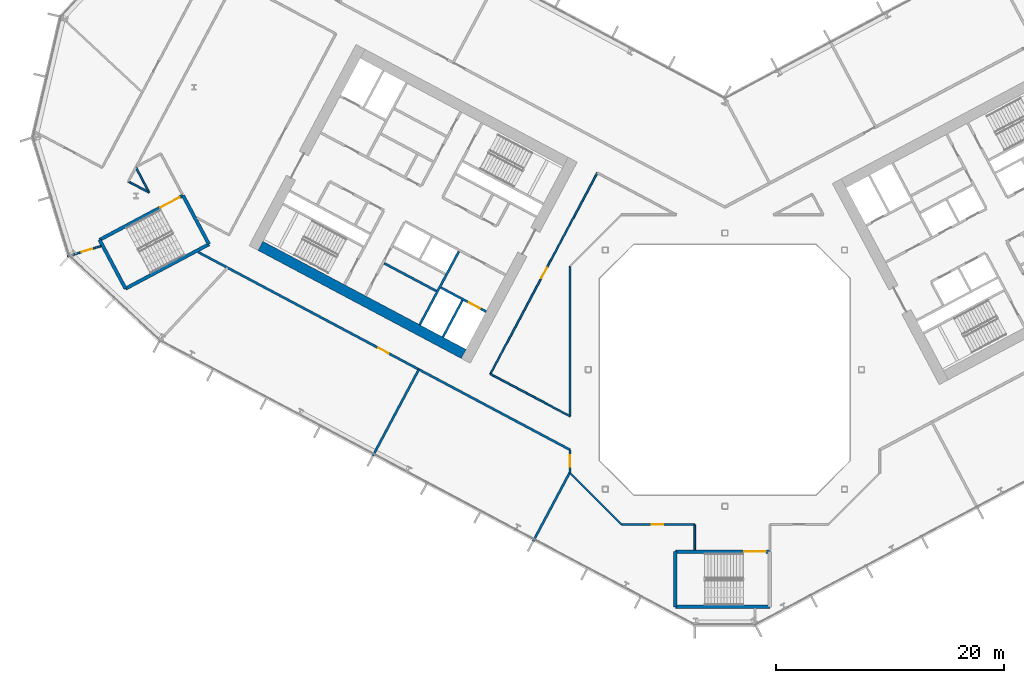
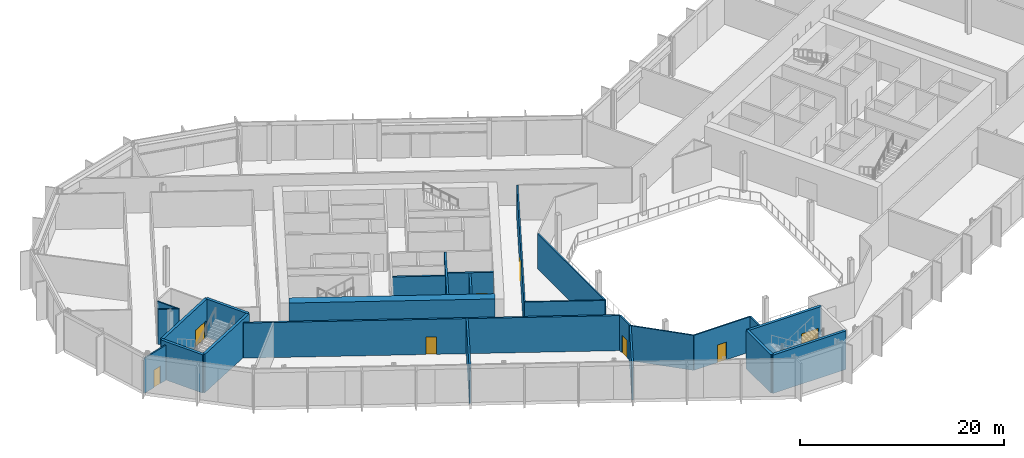
# One storey, part 14 of 31: 25 walls, 8 doors, 8 openings.
"""IFC4 building model written with IfcOpenShell, lengths in metres."""

from ifc_helpers import new_model, si_unit, direction, frame, frame_2d, origin, place, context, subcontext, project, spatial, rectangle, extrude, material, layer, layer_set, type_object, element, fill, save


model = new_model("IFC4")

# Units and contexts
model_context = context("Model", 3, precision=1e-05, world=origin(), true_north=direction((0.0, 1.0)))
body_context = subcontext(model_context, "Body", "Model", "MODEL_VIEW")
ifc_project = project(units=[si_unit("LENGTHUNIT", "METRE"), si_unit("AREAUNIT", "SQUARE_METRE"), si_unit("VOLUMEUNIT", "CUBIC_METRE"), si_unit("PLANEANGLEUNIT", "RADIAN"), si_unit("MASSUNIT", "GRAM", prefix="KILO")], contexts=[model_context])

# Site, building, storey
site_placement = place(None, origin())
site = spatial("IfcSite", under=ifc_project, at=site_placement, CompositionType="ELEMENT")
building_placement = place(site_placement, origin())
building = spatial("IfcBuilding", under=site, at=building_placement, Name="Cormorant Relay Tower", CompositionType="ELEMENT")
storey_placement = place(building_placement, frame((0.0, 0.0, 93.800048828125)))
storey = spatial("IfcBuildingStorey", under=building, at=storey_placement, Name="L18", CompositionType="ELEMENT", Elevation=93.800048828125)

# Walls
ifc_material_1 = material(Name="Concrete 40 MPa", Category="concrete")
ifc_layer_1 = layer(ifc_material_1, 0.199951171875)
ifc_layer_set_1 = layer_set([ifc_layer_1], Name="Core internal wall 200")
wall_type_1 = type_object("IfcWallType", Name="Core internal wall 200", PredefinedType="SOLIDWALL", material=ifc_layer_set_1)
wall_1_placement = place(storey_placement, frame((-25.326416015625, 6.8974609375, 0.0), z_axis=(0.0, 0.0, 1.0), x_axis=(-0.882953967957, 0.469459572775, 0.0)))
element("IfcWall", 1, at=wall_1_placement, inside=storey, type_object=wall_type_1, Name="L18 core A shaft and room wall", PredefinedType="SOLIDWALL", context=body_context, shape_type="SweptSolid", body=[
    extrude(rectangle(XDim=5.199951171875, YDim=0.199951171875, at=frame_2d((2.60009765625, 0.0))), origin(), (0.0, 0.0, 1.0), 4.599853515625),
])
ifc_material_2 = material(Name="Concrete 50 MPa", Category="concrete")
ifc_layer_2 = layer(ifc_material_2, 0.199951171875)
ifc_layer_set_2 = layer_set([ifc_layer_2], Name="Core shaft wall 200")
wall_type_2 = type_object("IfcWallType", Name="Core shaft wall 200", PredefinedType="SHEAR", material=ifc_layer_set_2)
wall_2_placement = place(storey_placement, frame((-23.04296875, 6.07958984375, 0.0), z_axis=(0.0, 0.0, 1.0), x_axis=(-0.469494272526, -0.882935517501, 0.0)))
element("IfcWall", 2, at=wall_2_placement, inside=storey, type_object=wall_type_2, Name="L18 core A shaft wall", PredefinedType="SHEAR", context=body_context, shape_type="SweptSolid", body=[
    extrude(rectangle(XDim=3.64990234375, YDim=0.199951171875, at=frame_2d((1.824951171875, 0.0))), origin(), (0.0, 0.0, 1.0), 4.599853515625),
])
wall_3_placement = place(storey_placement, frame((-23.360107421875, 10.38232421875, 0.0), z_axis=(0.0, 0.0, 1.0), x_axis=(-0.469480409012, -0.88294288918, 0.0)))
element("IfcWall", 3, at=wall_3_placement, inside=storey, type_object=wall_type_2, Name="L18 core A shaft wall", PredefinedType="SHEAR", context=body_context, shape_type="SweptSolid", body=[
    extrude(rectangle(XDim=7.300048828125, YDim=0.199951171875, at=frame_2d((3.64990234375, 0.0))), origin(), (0.0, 0.0, 1.0), 4.599853515625),
])

# Wall, opening, door
wall_4_placement = place(storey_placement, frame((-20.96533203125, 5.088134765625, 0.0), z_axis=(0.0, 0.0, 1.0), x_axis=(-0.882925986334, 0.469512196493, 0.0)))
wall_4 = element("IfcWall", 4, at=wall_4_placement, inside=storey, type_object=wall_type_2, Name="L18 core A shaft wall", PredefinedType="SHEAR", context=body_context, shape_type="SweptSolid", body=[
    extrude(rectangle(XDim=4.5, YDim=0.199951171875, at=frame_2d((2.25, 0.0))), origin(), (0.0, 0.0, 1.0), 4.599853515625),
])
opening_1_placement = place(wall_4_placement, frame((0.60009765625, 0.0, 0.0)))
opening_1 = element("IfcOpeningElement", 5, at=opening_1_placement, cuts=wall_4, Name="Opening LD1-027", PredefinedType="OPENING", context=body_context, shape_type="SweptSolid", body=[
    extrude(rectangle(XDim=1.10009765625, YDim=2.10009765625, at=frame_2d((0.550048828125, 1.050048828125))), frame((0.0, 0.10986328125, 0.0), z_axis=(0.0, -1.0, 0.0), x_axis=(1.0, 0.0, 0.0)), (0.0, 0.0, 1.0), 0.219970703125),
])
ifc_material_3 = material(Name="Stainless steel 316", Category="steel")
door_type_1 = type_object("IfcDoorType", Name="Lift landing door 1100x2100", OperationType="DOUBLE_DOOR_SLIDING", PredefinedType="DOOR", material=ifc_material_3)
door_1_placement = place(opening_1_placement, origin())
door_1 = element("IfcDoor", 6, at=door_1_placement, inside=storey, type_object=door_type_1, Name="FF1 landing door", OperationType="DOUBLE_DOOR_SLIDING", OverallHeight=2.10009765625, OverallWidth=1.10009765625, PredefinedType="DOOR", context=body_context, shape_type="SweptSolid", body=[
    extrude(rectangle(XDim=1.10009765625, YDim=2.10009765625, at=frame_2d((0.550048828125, 1.050048828125))), frame((0.0, 0.02490234375, 0.0), z_axis=(0.0, -1.0, 0.0), x_axis=(1.0, 0.0, 0.0)), (0.0, 0.0, 1.0), 0.050048828125),
])
fill(opening_1, door_1)

# Walls
ifc_material_4 = material(Name="Concrete 70 MPa", Category="concrete")
ifc_layer_3 = layer(ifc_material_4, 0.89990234375)
ifc_layer_set_3 = layer_set([ifc_layer_3], Name="Core wall 900")
wall_type_3 = type_object("IfcWallType", Name="Core wall 900", PredefinedType="SHEAR", material=ifc_layer_set_3)
wall_5_placement = place(storey_placement, frame((-22.93701171875, 1.3798828125, 0.0), z_axis=(0.0, 0.0, 1.0), x_axis=(-0.88295276571, 0.46946183394, 0.0)))
element("IfcWall", 7, at=wall_5_placement, inside=storey, type_object=wall_type_3, Name="L18 core A wall", PredefinedType="SHEAR", context=body_context, shape_type="SweptSolid", body=[
    extrude(rectangle(XDim=20.199951171875, YDim=0.89990234375, at=frame_2d((10.10009765625, 0.0))), origin(), (0.0, 0.0, 1.0), 4.599853515625),
])
ifc_material_5 = material(Name="Fire-rated gypsum board partition")
ifc_layer_4 = layer(ifc_material_5, 0.199951171875)
ifc_layer_set_4 = layer_set([ifc_layer_4], Name="Fire-rated gypsum partition 200")
wall_type_4 = type_object("IfcWallType", Name="Fire-rated gypsum partition 200", PredefinedType="PARTITIONING", material=ifc_layer_set_4)
wall_6_placement = place(storey_placement, frame((-26.87109375, 0.01708984375, 0.0), z_axis=(0.0, 0.0, 1.0), x_axis=(-0.469522575087, -0.882920467247, 0.0)))
element("IfcWall", 8, at=wall_6_placement, inside=storey, type_object=wall_type_4, Name="wall/L18/part/7", PredefinedType="PARTITIONING", context=body_context, shape_type="SweptSolid", body=[
    extrude(rectangle(XDim=8.599853515625, YDim=0.199951171875, at=frame_2d((4.2998046875, 0.0))), origin(), (0.0, 0.0, 1.0), 4.199951171875),
])

# Wall, opening, door
wall_7_placement = place(storey_placement, frame((-13.60009765625, -9.076904296875, 0.0), z_axis=(0.0, 0.0, 1.0), x_axis=(0.0, 1.0, 0.0)))
wall_7 = element("IfcWall", 9, at=wall_7_placement, inside=storey, type_object=wall_type_4, Name="wall/L18/part/16", PredefinedType="PARTITIONING", context=body_context, shape_type="SweptSolid", body=[
    extrude(rectangle(XDim=2.037841796875, YDim=0.199951171875, at=frame_2d((1.01904296875, 0.0))), origin(), (0.0, 0.0, 1.0), 4.199951171875),
])
opening_2_placement = place(wall_7_placement, frame((0.550048828125, 0.0, 0.0)))
opening_2 = element("IfcOpeningElement", 10, at=opening_2_placement, cuts=wall_7, Name="Opening FD1-107", PredefinedType="OPENING", context=body_context, shape_type="SweptSolid", body=[
    extrude(rectangle(XDim=1.0, YDim=2.10009765625, at=frame_2d((0.5, 1.050048828125))), frame((0.0, 0.10986328125, 0.0), z_axis=(0.0, -1.0, 0.0), x_axis=(1.0, 0.0, 0.0)), (0.0, 0.0, 1.0), 0.219970703125),
])
ifc_material_6 = material(Name="Fire-rated steel door", Category="steel")
door_type_2 = type_object("IfcDoorType", Name="Fire door 1000 x 2100", OperationType="SINGLE_SWING_LEFT", PredefinedType="DOOR", material=ifc_material_6)
door_2_placement = place(opening_2_placement, origin())
door_2 = element("IfcDoor", 11, at=door_2_placement, inside=storey, type_object=door_type_2, Name="door/L18/19", OperationType="SINGLE_SWING_RIGHT", OverallHeight=2.10009765625, OverallWidth=1.0, PredefinedType="DOOR", context=body_context, shape_type="SweptSolid", body=[
    extrude(rectangle(XDim=1.0, YDim=2.10009765625, at=frame_2d((0.5, 1.050048828125))), frame((0.0, 0.02490234375, 0.0), z_axis=(0.0, -1.0, 0.0), x_axis=(1.0, 0.0, 0.0)), (0.0, 0.0, 1.0), 0.050048828125),
])
fill(opening_2, door_2)

wall_8_placement = place(storey_placement, frame((-13.60009765625, -7.0390625, 0.0), z_axis=(0.0, 0.0, 1.0), x_axis=(-0.882948807105, 0.469469279113, 0.0)))
wall_8 = element("IfcWall", 12, at=wall_8_placement, inside=storey, type_object=wall_type_4, Name="wall/L18/part/17", PredefinedType="PARTITIONING", context=body_context, shape_type="SweptSolid", body=[
    extrude(rectangle(XDim=36.99853515625, YDim=0.199951171875, at=frame_2d((18.499267578125, 0.0))), origin(), (0.0, 0.0, 1.0), 4.199951171875),
])
opening_3_placement = place(wall_8_placement, frame((18.050048828125, 0.0, 0.0)))
opening_3 = element("IfcOpeningElement", 13, at=opening_3_placement, cuts=wall_8, Name="Opening FD1-106", PredefinedType="OPENING", context=body_context, shape_type="SweptSolid", body=[
    extrude(rectangle(XDim=1.0, YDim=2.10009765625, at=frame_2d((0.5, 1.050048828125))), frame((0.0, 0.10986328125, 0.0), z_axis=(0.0, -1.0, 0.0), x_axis=(1.0, 0.0, 0.0)), (0.0, 0.0, 1.0), 0.219970703125),
])
door_3_placement = place(opening_3_placement, origin())
door_3 = element("IfcDoor", 14, at=door_3_placement, inside=storey, type_object=door_type_2, Name="door/L18/18", OperationType="SINGLE_SWING_LEFT", OverallHeight=2.10009765625, OverallWidth=1.0, PredefinedType="DOOR", context=body_context, shape_type="SweptSolid", body=[
    extrude(rectangle(XDim=1.0, YDim=2.10009765625, at=frame_2d((0.5, 1.050048828125))), frame((0.0, 0.02490234375, 0.0), z_axis=(0.0, -1.0, 0.0), x_axis=(1.0, 0.0, 0.0)), (0.0, 0.0, 1.0), 0.050048828125),
])
fill(opening_3, door_3)

# Wall
wall_9_placement = place(storey_placement, frame((-13.60009765625, -8.998046875, 0.0), z_axis=(0.0, 0.0, 1.0), x_axis=(-0.469531053644, -0.882915958438, 0.0)))
element("IfcWall", 15, at=wall_9_placement, inside=storey, type_object=wall_type_4, Name="wall/L18/part/20", PredefinedType="PARTITIONING", context=body_context, shape_type="SweptSolid", body=[
    extrude(rectangle(XDim=6.870361328125, YDim=0.199951171875, at=frame_2d((3.43505859375, 0.0))), origin(), (0.0, 0.0, 1.0), 4.199951171875),
])

# Wall, opening, door
ifc_material_7 = material(Name="Gypsum board partition")
ifc_layer_5 = layer(ifc_material_7, 0.14990234375)
ifc_layer_set_5 = layer_set([ifc_layer_5], Name="Gypsum board partition 150")
wall_type_5 = type_object("IfcWallType", Name="Gypsum board partition 150", PredefinedType="PARTITIONING", material=ifc_layer_set_5)
wall_10_placement = place(storey_placement, frame((-54.7607421875, 10.847900390625, 0.0), z_axis=(0.0, 0.0, 1.0), x_axis=(-0.956301064033, -0.29238378021, 0.0)))
wall_10 = element("IfcWall", 16, at=wall_10_placement, inside=storey, type_object=wall_type_5, Name="wall/L18/part/5", PredefinedType="PARTITIONING", context=body_context, shape_type="SweptSolid", body=[
    extrude(rectangle(XDim=3.115478515625, YDim=0.14990234375, at=frame_2d((1.5576171875, 0.0))), origin(), (0.0, 0.0, 1.0), 4.199951171875),
])
opening_4_placement = place(wall_10_placement, frame((0.820068359375, 0.0, 0.0)))
opening_4 = element("IfcOpeningElement", 17, at=opening_4_placement, cuts=wall_10, Name="Opening D2-012", PredefinedType="OPENING", context=body_context, shape_type="SweptSolid", body=[
    extrude(rectangle(XDim=0.949951171875, YDim=2.10009765625, at=frame_2d((0.47509765625, 1.050048828125))), frame((0.0, 0.0849609375, 0.0), z_axis=(0.0, -1.0, 0.0), x_axis=(1.0, 0.0, 0.0)), (0.0, 0.0, 1.0), 0.169921875),
])
ifc_material_8 = material(Name="Timber door", Category="wood")
door_type_3 = type_object("IfcDoorType", Name="Toilet door 950 x 2100", OperationType="SINGLE_SWING_LEFT", PredefinedType="DOOR", material=ifc_material_8)
door_4_placement = place(opening_4_placement, origin())
door_4 = element("IfcDoor", 18, at=door_4_placement, inside=storey, type_object=door_type_3, Name="door/L18/17", OperationType="SINGLE_SWING_RIGHT", OverallHeight=2.10009765625, OverallWidth=0.949951171875, PredefinedType="DOOR", context=body_context, shape_type="SweptSolid", body=[
    extrude(rectangle(XDim=0.949951171875, YDim=2.10009765625, at=frame_2d((0.47509765625, 1.050048828125))), frame((0.0, 0.02490234375, 0.0), z_axis=(0.0, -1.0, 0.0), x_axis=(1.0, 0.0, 0.0)), (0.0, 0.0, 1.0), 0.050048828125),
])
fill(opening_4, door_4)

# Walls
wall_11_placement = place(storey_placement, frame((-13.60009765625, -9.076904296875, 0.0), z_axis=(0.0, 0.0, 1.0), x_axis=(0.707106781187, -0.707106781187, 0.0)))
element("IfcWall", 19, at=wall_11_placement, inside=storey, type_object=wall_type_5, Name="wall/L18/part/23", PredefinedType="PARTITIONING", context=body_context, shape_type="SweptSolid", body=[
    extrude(rectangle(XDim=6.396728515625, YDim=0.14990234375, at=frame_2d((3.1982421875, 0.0))), origin(), (0.0, 0.0, 1.0), 4.199951171875),
])
wall_12_placement = place(storey_placement, frame((-2.64892578125, -15.840087890625, 0.0), z_axis=(0.0, 0.0, 1.0), x_axis=(0.0, 1.0, 0.0)))
element("IfcWall", 20, at=wall_12_placement, inside=storey, type_object=wall_type_5, Name="wall/L18/part/24", PredefinedType="PARTITIONING", context=body_context, shape_type="SweptSolid", body=[
    extrude(rectangle(XDim=2.239990234375, YDim=0.14990234375, at=frame_2d((1.1201171875, 0.0))), origin(), (0.0, 0.0, 1.0), 4.199951171875),
])

# Wall, opening, door
wall_13_placement = place(storey_placement, frame((-2.64892578125, -13.60009765625, 0.0), z_axis=(0.0, 0.0, 1.0), x_axis=(-1.0, 0.0, 0.0)))
wall_13 = element("IfcWall", 21, at=wall_13_placement, inside=storey, type_object=wall_type_5, Name="wall/L18/part/25", PredefinedType="PARTITIONING", context=body_context, shape_type="SweptSolid", body=[
    extrude(rectangle(XDim=6.427978515625, YDim=0.14990234375, at=frame_2d((3.2138671875, 0.0))), origin(), (0.0, 0.0, 1.0), 4.199951171875),
])
opening_5_placement = place(wall_13_placement, frame((2.75, 0.0, 0.0)))
opening_5 = element("IfcOpeningElement", 22, at=opening_5_placement, cuts=wall_13, Name="Opening D1-042", PredefinedType="OPENING", context=body_context, shape_type="SweptSolid", body=[
    extrude(rectangle(XDim=1.0, YDim=2.10009765625, at=frame_2d((0.5, 1.050048828125))), frame((0.0, 0.0849609375, 0.0), z_axis=(0.0, -1.0, 0.0), x_axis=(1.0, 0.0, 0.0)), (0.0, 0.0, 1.0), 0.169921875),
])
ifc_material_9 = material(Name="Painted steel door", Category="steel")
door_type_4 = type_object("IfcDoorType", Name="Single door 1000 x 2100", OperationType="SINGLE_SWING_LEFT", PredefinedType="DOOR", material=ifc_material_9)
door_5_placement = place(opening_5_placement, origin())
door_5 = element("IfcDoor", 23, at=door_5_placement, inside=storey, type_object=door_type_4, Name="door/L18/20", OperationType="SINGLE_SWING_LEFT", OverallHeight=2.10009765625, OverallWidth=1.0, PredefinedType="DOOR", context=body_context, shape_type="SweptSolid", body=[
    extrude(rectangle(XDim=1.0, YDim=2.10009765625, at=frame_2d((0.5, 1.050048828125))), frame((0.0, 0.02490234375, 0.0), z_axis=(0.0, -1.0, 0.0), x_axis=(1.0, 0.0, 0.0)), (0.0, 0.0, 1.0), 0.050048828125),
])
fill(opening_5, door_5)

# Walls
wall_14_placement = place(storey_placement, frame((-52.3740234375, 16.52197265625, 0.0), z_axis=(0.0, 0.0, 1.0), x_axis=(0.882981472085, -0.469407839682, 0.0)))
element("IfcWall", 24, at=wall_14_placement, inside=storey, type_object=wall_type_5, Name="wall/L18/part/53", PredefinedType="PARTITIONING", context=body_context, shape_type="SweptSolid", body=[
    extrude(rectangle(XDim=2.072509765625, YDim=0.14990234375, at=frame_2d((1.0361328125, 0.0))), origin(), (0.0, 0.0, 1.0), 4.199951171875),
])
wall_15_placement = place(storey_placement, frame((-50.5439453125, 15.549072265625, 0.0), z_axis=(0.0, 0.0, 1.0), x_axis=(-0.469183782948, 0.883100547967, 0.0)))
element("IfcWall", 25, at=wall_15_placement, inside=storey, type_object=wall_type_5, Name="wall/L18/part/54", PredefinedType="PARTITIONING", context=body_context, shape_type="SweptSolid", body=[
    extrude(rectangle(XDim=2.500244140625, YDim=0.14990234375, at=frame_2d((1.25, 0.0))), origin(), (0.0, 0.0, 1.0), 4.199951171875),
])

# Wall, opening, door
wall_16_placement = place(storey_placement, frame((-20.587890625, -0.37890625, 0.0), z_axis=(0.0, 0.0, 1.0), x_axis=(0.469489882812, 0.882937851685, 0.0)))
wall_16 = element("IfcWall", 26, at=wall_16_placement, inside=storey, type_object=wall_type_5, Name="wall/L18/part/56", PredefinedType="PARTITIONING", context=body_context, shape_type="SweptSolid", body=[
    extrude(rectangle(XDim=20.000244140625, YDim=0.14990234375, at=frame_2d((10.0, 0.0))), origin(), (0.0, 0.0, 1.0), 4.199951171875),
])
opening_6_placement = place(wall_16_placement, frame((9.550048828125, 0.0, 0.0)))
opening_6 = element("IfcOpeningElement", 27, at=opening_6_placement, cuts=wall_16, Name="Opening D1-031", PredefinedType="OPENING", context=body_context, shape_type="SweptSolid", body=[
    extrude(rectangle(XDim=1.0, YDim=2.10009765625, at=frame_2d((0.5, 1.050048828125))), frame((0.0, 0.0849609375, 0.0), z_axis=(0.0, -1.0, 0.0), x_axis=(1.0, 0.0, 0.0)), (0.0, 0.0, 1.0), 0.169921875),
])
door_6_placement = place(opening_6_placement, frame((1.0, 0.0, 0.0), z_axis=(0.0, 0.0, 1.0), x_axis=(-1.0, 0.0, 0.0)))
door_6 = element("IfcDoor", 28, at=door_6_placement, inside=storey, type_object=door_type_4, Name="door/L18/4", OperationType="SINGLE_SWING_LEFT", OverallHeight=2.10009765625, OverallWidth=1.0, PredefinedType="DOOR", context=body_context, shape_type="SweptSolid", body=[
    extrude(rectangle(XDim=1.0, YDim=2.10009765625, at=frame_2d((0.5, 1.050048828125))), frame((0.0, 0.02490234375, 0.0), z_axis=(0.0, -1.0, 0.0), x_axis=(1.0, 0.0, 0.0)), (0.0, 0.0, 1.0), 0.050048828125),
])
fill(opening_6, door_6)

# Walls
wall_17_placement = place(storey_placement, frame((-13.60009765625, 9.076904296875, 0.0), z_axis=(0.0, 0.0, 1.0), x_axis=(0.0, -1.0, 0.0)))
element("IfcWall", 29, at=wall_17_placement, inside=storey, type_object=wall_type_5, Name="wall/L18/part/60", PredefinedType="PARTITIONING", context=body_context, shape_type="SweptSolid", body=[
    extrude(rectangle(XDim=13.1708984375, YDim=0.14990234375, at=frame_2d((6.58544921875, 0.0))), origin(), (0.0, 0.0, 1.0), 4.199951171875),
])
wall_18_placement = place(storey_placement, frame((-13.60009765625, -4.093994140625, 0.0), z_axis=(0.0, 0.0, 1.0), x_axis=(-0.882967890474, 0.469433386533, 0.0)))
element("IfcWall", 30, at=wall_18_placement, inside=storey, type_object=wall_type_5, Name="wall/L18/part/61", PredefinedType="PARTITIONING", context=body_context, shape_type="SweptSolid", body=[
    extrude(rectangle(XDim=7.9140625, YDim=0.14990234375, at=frame_2d((3.95703125, 0.0))), origin(), (0.0, 0.0, 1.0), 4.199951171875),
])
ifc_material_10 = material(Name="Concrete 50 MPa", Category="concrete")
ifc_layer_6 = layer(ifc_material_10, 0.300048828125)
ifc_layer_set_6 = layer_set([ifc_layer_6], Name="Remote stair wall 300")
wall_type_6 = type_object("IfcWallType", Name="Remote stair wall 300", PredefinedType="SHEAR", material=ifc_layer_set_6)
wall_19_placement = place(storey_placement, frame((3.949951171875, -20.824951171875, 0.0), z_axis=(0.0, 0.0, 1.0), x_axis=(-1.0, 0.0, 0.0)))
element("IfcWall", 31, at=wall_19_placement, inside=storey, type_object=wall_type_6, Name="L18 exit stair RK1 wall", PredefinedType="SHEAR", context=body_context, shape_type="SweptSolid", body=[
    extrude(rectangle(XDim=8.300048828125, YDim=0.300048828125, at=frame_2d((4.14990234375, 0.0))), origin(), (0.0, 0.0, 1.0), 4.599853515625),
])
wall_20_placement = place(storey_placement, frame((-4.35009765625, -20.824951171875, 0.0), z_axis=(0.0, 0.0, 1.0), x_axis=(0.0, 1.0, 0.0)))
element("IfcWall", 32, at=wall_20_placement, inside=storey, type_object=wall_type_6, Name="L18 exit stair RK1 wall", PredefinedType="SHEAR", context=body_context, shape_type="SweptSolid", body=[
    extrude(rectangle(XDim=4.849853515625, YDim=0.300048828125, at=frame_2d((2.4248046875, 0.0))), origin(), (0.0, 0.0, 1.0), 4.599853515625),
])

# Wall, opening, door
wall_21_placement = place(storey_placement, frame((-4.35009765625, -15.97509765625, 0.0), z_axis=(0.0, 0.0, 1.0), x_axis=(1.0, 0.0, 0.0)))
wall_21 = element("IfcWall", 33, at=wall_21_placement, inside=storey, type_object=wall_type_6, Name="L18 exit stair RK1 wall", PredefinedType="SHEAR", context=body_context, shape_type="SweptSolid", body=[
    extrude(rectangle(XDim=8.300048828125, YDim=0.300048828125, at=frame_2d((4.14990234375, 0.0))), origin(), (0.0, 0.0, 1.0), 4.599853515625),
])
opening_7_placement = place(wall_21_placement, frame((6.050048828125, 0.0, 0.0)))
opening_7 = element("IfcOpeningElement", 34, at=opening_7_placement, cuts=wall_21, Name="Opening CDE-008", PredefinedType="OPENING", context=body_context, shape_type="SweptSolid", body=[
    extrude(rectangle(XDim=1.89990234375, YDim=2.10009765625, at=frame_2d((0.949951171875, 1.050048828125))), frame((0.0, 0.159912109375, 0.0), z_axis=(0.0, -1.0, 0.0), x_axis=(1.0, 0.0, 0.0)), (0.0, 0.0, 1.0), 0.320068359375),
])
ifc_material_11 = material(Name="Steel fire door", Category="steel")
door_type_5 = type_object("IfcDoorType", Name="Remote stair door 1900x2100", OperationType="DOUBLE_DOOR_SINGLE_SWING", PredefinedType="DOOR", material=ifc_material_11)
door_7_placement = place(opening_7_placement, frame((1.89990234375, 0.0, 0.0), z_axis=(0.0, 0.0, 1.0), x_axis=(-1.0, 0.0, 0.0)))
door_7 = element("IfcDoor", 35, at=door_7_placement, inside=storey, type_object=door_type_5, Name="Exit stair RK1 door", OperationType="DOUBLE_DOOR_SINGLE_SWING", OverallHeight=2.10009765625, OverallWidth=1.89990234375, PredefinedType="DOOR", context=body_context, shape_type="SweptSolid", body=[
    extrude(rectangle(XDim=1.89990234375, YDim=2.10009765625, at=frame_2d((0.949951171875, 1.050048828125))), frame((0.0, 0.02490234375, 0.0), z_axis=(0.0, -1.0, 0.0), x_axis=(1.0, 0.0, 0.0)), (0.0, 0.0, 1.0), 0.050048828125),
])
fill(opening_7, door_7)

# Walls
wall_22_placement = place(storey_placement, frame((-47.57421875, 15.28955078125, 0.0), z_axis=(0.0, 0.0, 1.0), x_axis=(0.469443498566, -0.882962514297, 0.0)))
element("IfcWall", 36, at=wall_22_placement, inside=storey, type_object=wall_type_6, Name="L18 exit stair RP1 wall", PredefinedType="SHEAR", context=body_context, shape_type="SweptSolid", body=[
    extrude(rectangle(XDim=4.85009765625, YDim=0.300048828125, at=frame_2d((2.425048828125, 0.0))), origin(), (0.0, 0.0, 1.0), 4.599853515625),
])
wall_23_placement = place(storey_placement, frame((-45.29736328125, 11.007080078125, 0.0), z_axis=(0.0, 0.0, 1.0), x_axis=(-0.882951519127, -0.469464178475, 0.0)))
element("IfcWall", 37, at=wall_23_placement, inside=storey, type_object=wall_type_6, Name="L18 exit stair RP1 wall", PredefinedType="SHEAR", context=body_context, shape_type="SweptSolid", body=[
    extrude(rectangle(XDim=8.2998046875, YDim=0.300048828125, at=frame_2d((4.14990234375, 0.0))), origin(), (0.0, 0.0, 1.0), 4.599853515625),
])
wall_24_placement = place(storey_placement, frame((-52.625732421875, 7.110595703125, 0.0), z_axis=(0.0, 0.0, 1.0), x_axis=(-0.469464364128, 0.882951420416, 0.0)))
element("IfcWall", 38, at=wall_24_placement, inside=storey, type_object=wall_type_6, Name="L18 exit stair RP1 wall", PredefinedType="SHEAR", context=body_context, shape_type="SweptSolid", body=[
    extrude(rectangle(XDim=4.849853515625, YDim=0.300048828125, at=frame_2d((2.4248046875, 0.0))), origin(), (0.0, 0.0, 1.0), 4.599853515625),
])

# Wall, opening, door
wall_25_placement = place(storey_placement, frame((-54.902587890625, 11.392822265625, 0.0), z_axis=(0.0, 0.0, 1.0), x_axis=(0.882939326045, 0.469487110071, 0.0)))
wall_25 = element("IfcWall", 39, at=wall_25_placement, inside=storey, type_object=wall_type_6, Name="L18 exit stair RP1 wall", PredefinedType="SHEAR", context=body_context, shape_type="SweptSolid", body=[
    extrude(rectangle(XDim=8.300048828125, YDim=0.300048828125, at=frame_2d((4.14990234375, 0.0))), origin(), (0.0, 0.0, 1.0), 4.599853515625),
])
opening_8_placement = place(wall_25_placement, frame((6.050048828125, 0.0, 0.0)))
opening_8 = element("IfcOpeningElement", 40, at=opening_8_placement, cuts=wall_25, Name="Opening CDE-009", PredefinedType="OPENING", context=body_context, shape_type="SweptSolid", body=[
    extrude(rectangle(XDim=1.89990234375, YDim=2.10009765625, at=frame_2d((0.949951171875, 1.050048828125))), frame((0.0, 0.159912109375, 0.0), z_axis=(0.0, -1.0, 0.0), x_axis=(1.0, 0.0, 0.0)), (0.0, 0.0, 1.0), 0.320068359375),
])
door_8_placement = place(opening_8_placement, frame((1.89990234375, 0.0, 0.0), z_axis=(0.0, 0.0, 1.0), x_axis=(-1.0, 0.0, 0.0)))
door_8 = element("IfcDoor", 41, at=door_8_placement, inside=storey, type_object=door_type_5, Name="Exit stair RP1 door", OperationType="DOUBLE_DOOR_SINGLE_SWING", OverallHeight=2.10009765625, OverallWidth=1.89990234375, PredefinedType="DOOR", context=body_context, shape_type="SweptSolid", body=[
    extrude(rectangle(XDim=1.89990234375, YDim=2.10009765625, at=frame_2d((0.949951171875, 1.050048828125))), frame((0.0, 0.02490234375, 0.0), z_axis=(0.0, -1.0, 0.0), x_axis=(1.0, 0.0, 0.0)), (0.0, 0.0, 1.0), 0.050048828125),
])
fill(opening_8, door_8)

save(model, "model.ifc")
